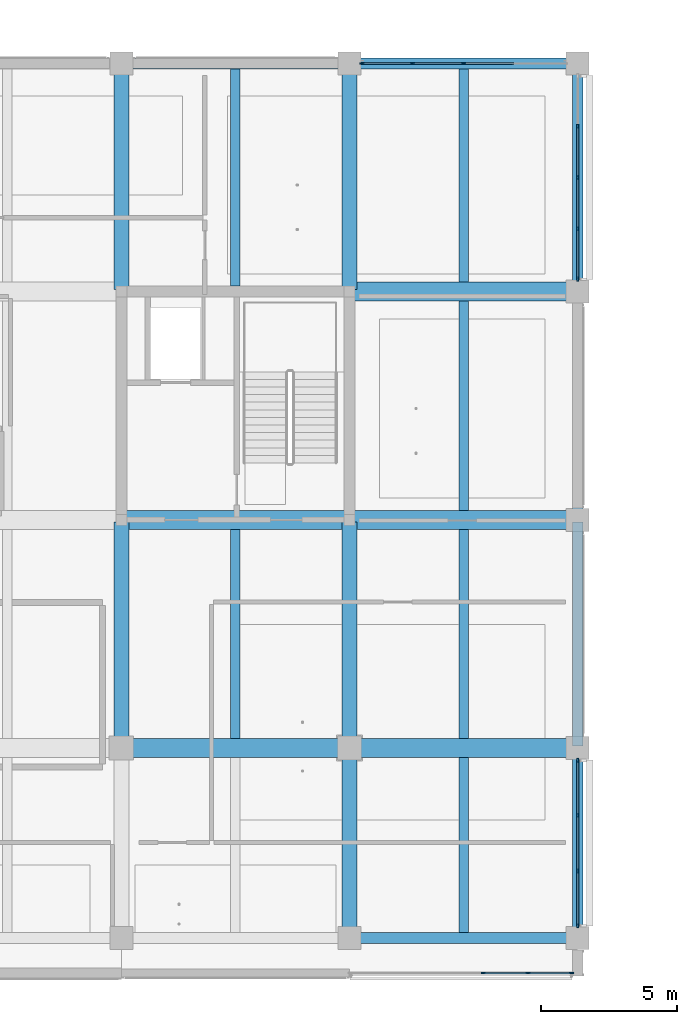
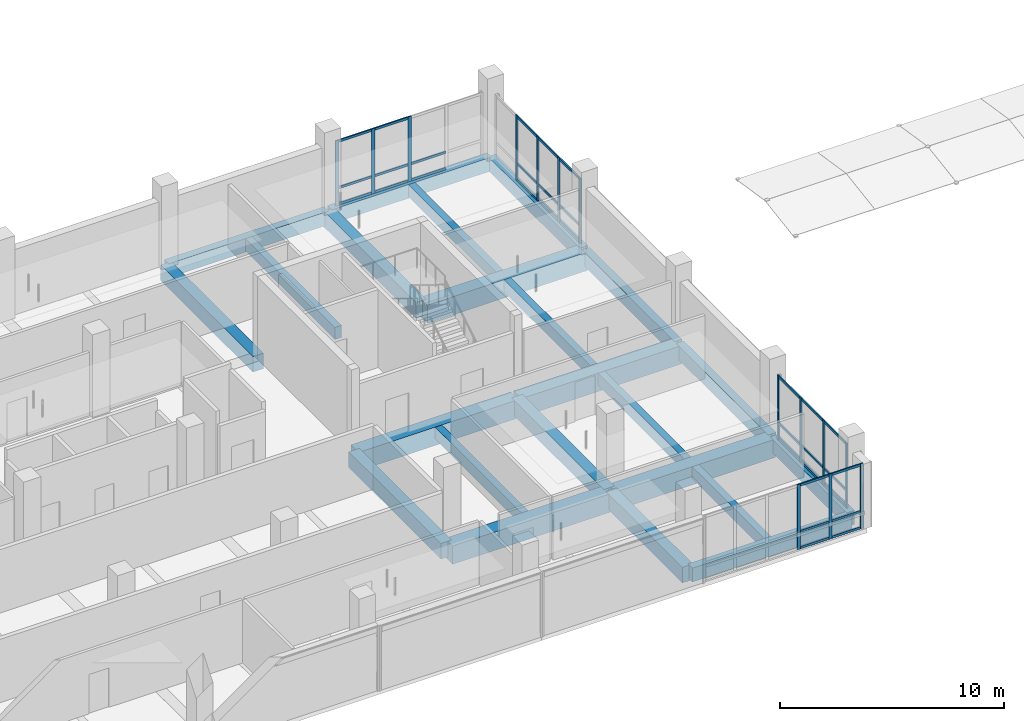
# One storey, part 8 of 39: 46 members, 23 beams, 4 elements without a shape of their own.
"""IFC4 building model written with IfcOpenShell, lengths in metres."""

from ifc_helpers import new_model, si_unit, direction, frame, origin, origin_2d, place, context, subcontext, project, spatial, rectangle, extrude, material, layer, layer_set, material_profile, profile_set, type_object, element, aggregate, save


model = new_model("IFC4")

# Units and contexts
model_context = context("Model", 3, precision=1e-05, world=origin(), true_north=direction((0.0, 1.0)))
body_context = subcontext(model_context, "Body", "Model", "MODEL_VIEW")
ifc_project = project(units=[si_unit("LENGTHUNIT", "METRE"), si_unit("AREAUNIT", "SQUARE_METRE"), si_unit("VOLUMEUNIT", "CUBIC_METRE"), si_unit("PLANEANGLEUNIT", "RADIAN"), si_unit("MASSUNIT", "GRAM", prefix="KILO")], contexts=[model_context])

# Site, building, storey
site_placement = place(None, origin())
site = spatial("IfcSite", under=ifc_project, at=site_placement, CompositionType="ELEMENT")
building_placement = place(site_placement, origin())
building = spatial("IfcBuilding", under=site, at=building_placement, Name="Telukmera Botanical Conservatory", CompositionType="ELEMENT")
storey_placement = place(building_placement, frame((0.0, 0.0, 19.5)))
storey = spatial("IfcBuildingStorey", under=building, at=storey_placement, Name="L04", CompositionType="ELEMENT", Elevation=19.5)

# Beams
ifc_material_1 = material(Name="Concrete C50/60", Category="concrete")
ifc_material_profile_1 = material_profile(ifc_material_1, rectangle(XDim=0.699951171875, YDim=1.0, at=origin_2d()), Name="RC 700x1000")
ifc_profile_set_1 = profile_set([ifc_material_profile_1], Name="Concrete C50/60")
beam_type_1 = type_object("IfcBeamType", Name="Beam_B1", PredefinedType="BEAM", material=ifc_profile_set_1)
beam_1_placement = place(storey_placement, frame((92.47998046875, 17.60009765625, -0.5), z_axis=(1.0, 0.0, 0.0), x_axis=(0.0, 1.0, 0.0)))
element("IfcBeam", 1, at=beam_1_placement, inside=storey, type_object=beam_type_1, Name="Tower Grid Beam L04", PredefinedType="BEAM", context=body_context, shape_type="SweptSolid", body=[
    extrude(rectangle(XDim=0.699951171875, YDim=1.0, at=origin_2d()), origin(), (0.0, 0.0, 1.0), 8.239990234375),
])
beam_2_placement = place(storey_placement, frame((100.8798828125, 17.60009765625, -0.5), z_axis=(1.0, 0.0, 0.0), x_axis=(0.0, 1.0, 0.0)))
element("IfcBeam", 2, at=beam_2_placement, inside=storey, type_object=beam_type_1, Name="Tower Grid Beam L04", PredefinedType="BEAM", context=body_context, shape_type="SweptSolid", body=[
    extrude(rectangle(XDim=0.699951171875, YDim=1.0, at=origin_2d()), origin(), (0.0, 0.0, 1.0), 8.240234375),
])
beam_3_placement = place(storey_placement, frame((92.47998046875, 26.0, -0.5), z_axis=(1.0, 0.0, 0.0), x_axis=(0.0, 1.0, 0.0)))
element("IfcBeam", 3, at=beam_3_placement, inside=storey, type_object=beam_type_1, Name="Tower Grid Beam L04", PredefinedType="BEAM", context=body_context, shape_type="SweptSolid", body=[
    extrude(rectangle(XDim=0.699951171875, YDim=1.0, at=origin_2d()), origin(), (0.0, 0.0, 1.0), 8.239990234375),
])
for number, where, z_axis, x_axis, name in (
    (4, (100.8798828125, 26.0, -0.5), (1.0, 0.0, 0.0), (0.0, 1.0, 0.0), "Tower Grid Beam L04"),
    (5, (100.8798828125, 34.39990234375, -0.5), (1.0, 0.0, 0.0), (0.0, 1.0, 0.0), "Tower Grid Beam L04"),
):
    element("IfcBeam", number, at=place(storey_placement, frame(where, z_axis=z_axis, x_axis=x_axis)), inside=storey, type_object=beam_type_1, Name=name, PredefinedType="BEAM", context=body_context, shape_type="SweptSolid", body=[
        extrude(rectangle(XDim=0.699951171875, YDim=1.0, at=origin_2d()), origin(), (0.0, 0.0, 1.0), 8.240234375),
    ])
ifc_material_2 = material(Name="Concrete C40/50", Category="concrete")
ifc_material_profile_2 = material_profile(ifc_material_2, rectangle(XDim=0.35009765625, YDim=0.64990234375, at=origin_2d()), Name="RC 350x650")
ifc_profile_set_2 = profile_set([ifc_material_profile_2], Name="Concrete C40/50")
beam_type_2 = type_object("IfcBeamType", Name="Beam_B20", PredefinedType="JOIST", material=ifc_profile_set_2)
beam_4_placement = place(storey_placement, frame((96.60009765625, 17.949951171875, -0.324951171875), z_axis=(0.0, 1.0, 0.0), x_axis=(-1.0, 0.0, 0.0)))
element("IfcBeam", 6, at=beam_4_placement, inside=storey, type_object=beam_type_2, Name="Tower Secondary Floor Joist L04", PredefinedType="JOIST", context=body_context, shape_type="SweptSolid", body=[
    extrude(rectangle(XDim=0.35009765625, YDim=0.64990234375, at=origin_2d()), origin(), (0.0, 0.0, 1.0), 7.699951171875),
])
beam_5_placement = place(storey_placement, frame((96.60009765625, 34.60009765625, -0.324951171875), z_axis=(0.0, 1.0, 0.0), x_axis=(-1.0, 0.0, 0.0)))
element("IfcBeam", 7, at=beam_5_placement, inside=storey, type_object=beam_type_2, Name="Tower Secondary Floor Joist L04", PredefinedType="JOIST", context=body_context, shape_type="SweptSolid", body=[
    extrude(rectangle(XDim=0.35009765625, YDim=0.64990234375, at=origin_2d()), origin(), (0.0, 0.0, 1.0), 8.0),
])
beam_6_placement = place(storey_placement, frame((105.0, 10.800048828125, -0.324951171875), z_axis=(0.0, 1.0, 0.0), x_axis=(-1.0, 0.0, 0.0)))
element("IfcBeam", 8, at=beam_6_placement, inside=storey, type_object=beam_type_2, Name="Tower Secondary Floor Joist L04", PredefinedType="JOIST", context=body_context, shape_type="SweptSolid", body=[
    extrude(rectangle(XDim=0.35009765625, YDim=0.64990234375, at=origin_2d()), origin(), (0.0, 0.0, 1.0), 6.449951171875),
])
for number, where, z_axis, x_axis, name in (
    (9, (105.0, 17.949951171875, -0.324951171875), (0.0, 1.0, 0.0), (-1.0, 0.0, 0.0), "Tower Secondary Floor Joist L04"),
    (10, (105.0, 26.35009765625, -0.324951171875), (0.0, 1.0, 0.0), (-1.0, 0.0, 0.0), "Tower Secondary Floor Joist L04"),
):
    element("IfcBeam", number, at=place(storey_placement, frame(where, z_axis=z_axis, x_axis=x_axis)), inside=storey, type_object=beam_type_2, Name=name, PredefinedType="JOIST", context=body_context, shape_type="SweptSolid", body=[
        extrude(rectangle(XDim=0.35009765625, YDim=0.64990234375, at=origin_2d()), origin(), (0.0, 0.0, 1.0), 7.699951171875),
    ])
beam_7_placement = place(storey_placement, frame((105.0, 34.75, -0.324951171875), z_axis=(0.0, 1.0, 0.0), x_axis=(-1.0, 0.0, 0.0)))
element("IfcBeam", 11, at=beam_7_placement, inside=storey, type_object=beam_type_2, Name="Tower Secondary Floor Joist L04", PredefinedType="JOIST", context=body_context, shape_type="SweptSolid", body=[
    extrude(rectangle(XDim=0.35009765625, YDim=0.64990234375, at=origin_2d()), origin(), (0.0, 0.0, 1.0), 7.85009765625),
])
ifc_material_profile_3 = material_profile(ifc_material_2, rectangle(XDim=0.550048828125, YDim=0.85009765625, at=origin_2d()), Name="RC 550x850")
ifc_profile_set_3 = profile_set([ifc_material_profile_3], Name="Concrete C40/50")
beam_type_3 = type_object("IfcBeamType", Name="Beam_B4", PredefinedType="BEAM", material=ifc_profile_set_3)
for number, where, z_axis, x_axis, name in (
    (12, (92.39990234375, 17.679931640625, -0.425048828125), (0.0, 1.0, 0.0), (-1.0, 0.0, 0.0), "Tower Transverse Beam L04"),
    (13, (92.39990234375, 34.47998046875, -0.425048828125), (0.0, 1.0, 0.0), (-1.0, 0.0, 0.0), "Tower Transverse Beam L04"),
):
    element("IfcBeam", number, at=place(storey_placement, frame(where, z_axis=z_axis, x_axis=x_axis)), inside=storey, type_object=beam_type_3, Name=name, PredefinedType="BEAM", context=body_context, shape_type="SweptSolid", body=[
        extrude(rectangle(XDim=0.550048828125, YDim=0.85009765625, at=origin_2d()), origin(), (0.0, 0.0, 1.0), 8.239990234375),
    ])
beam_8_placement = place(storey_placement, frame((100.800048828125, 10.679931640625, -0.425048828125), z_axis=(0.0, 1.0, 0.0), x_axis=(-1.0, 0.0, 0.0)))
element("IfcBeam", 14, at=beam_8_placement, inside=storey, type_object=beam_type_3, Name="Tower Transverse Beam L04", PredefinedType="BEAM", context=body_context, shape_type="SweptSolid", body=[
    extrude(rectangle(XDim=0.550048828125, YDim=0.85009765625, at=origin_2d()), origin(), (0.0, 0.0, 1.0), 6.840087890625),
])
for number, where, z_axis, x_axis, name in (
    (15, (100.800048828125, 17.679931640625, -0.425048828125), (0.0, 1.0, 0.0), (-1.0, 0.0, 0.0), "Tower Transverse Beam L04"),
    (16, (100.800048828125, 34.47998046875, -0.425048828125), (0.0, 1.0, 0.0), (-1.0, 0.0, 0.0), "Tower Transverse Beam L04"),
):
    element("IfcBeam", number, at=place(storey_placement, frame(where, z_axis=z_axis, x_axis=x_axis)), inside=storey, type_object=beam_type_3, Name=name, PredefinedType="BEAM", context=body_context, shape_type="SweptSolid", body=[
        extrude(rectangle(XDim=0.550048828125, YDim=0.85009765625, at=origin_2d()), origin(), (0.0, 0.0, 1.0), 8.239990234375),
    ])
ifc_material_3 = material(Name="Precast concrete C40/50", Category="concrete")
ifc_material_profile_4 = material_profile(ifc_material_3, rectangle(XDim=0.39990234375, YDim=0.75, at=origin_2d()), Name="PC 400x750")
ifc_profile_set_4 = profile_set([ifc_material_profile_4], Name="Precast concrete C40/50")
beam_type_4 = type_object("IfcBeamType", Name="Beam_SP1", PredefinedType="SPANDREL", material=ifc_profile_set_4)
beam_9_placement = place(storey_placement, frame((100.8798828125, 10.60009765625, -0.375), z_axis=(1.0, 0.0, 0.0), x_axis=(0.0, 1.0, 0.0)))
element("IfcBeam", 17, at=beam_9_placement, inside=storey, type_object=beam_type_4, Name="Tower Grid Beam L04", PredefinedType="SPANDREL", context=body_context, shape_type="SweptSolid", body=[
    extrude(rectangle(XDim=0.39990234375, YDim=0.75, at=origin_2d()), origin(), (0.0, 0.0, 1.0), 8.240234375),
])
beam_10_placement = place(storey_placement, frame((92.47998046875, 42.800048828125, -0.375), z_axis=(1.0, 0.0, 0.0), x_axis=(0.0, 1.0, 0.0)))
element("IfcBeam", 18, at=beam_10_placement, inside=storey, type_object=beam_type_4, Name="Tower Grid Beam L04", PredefinedType="SPANDREL", context=body_context, shape_type="SweptSolid", body=[
    extrude(rectangle(XDim=0.39990234375, YDim=0.75, at=origin_2d()), origin(), (0.0, 0.0, 1.0), 8.239990234375),
])
beam_11_placement = place(storey_placement, frame((100.8798828125, 42.800048828125, -0.375), z_axis=(1.0, 0.0, 0.0), x_axis=(0.0, 1.0, 0.0)))
element("IfcBeam", 19, at=beam_11_placement, inside=storey, type_object=beam_type_4, Name="Tower Grid Beam L04", PredefinedType="SPANDREL", context=body_context, shape_type="SweptSolid", body=[
    extrude(rectangle(XDim=0.39990234375, YDim=0.75, at=origin_2d()), origin(), (0.0, 0.0, 1.0), 8.240234375),
])
beam_12_placement = place(storey_placement, frame((109.199951171875, 10.679931640625, -0.375), z_axis=(0.0, 1.0, 0.0), x_axis=(-1.0, 0.0, 0.0)))
element("IfcBeam", 20, at=beam_12_placement, inside=storey, type_object=beam_type_4, Name="Tower Transverse Beam L04", PredefinedType="SPANDREL", context=body_context, shape_type="SweptSolid", body=[
    extrude(rectangle(XDim=0.39990234375, YDim=0.75, at=origin_2d()), origin(), (0.0, 0.0, 1.0), 6.840087890625),
])
for number, where, z_axis, x_axis, name in (
    (21, (109.199951171875, 17.679931640625, -0.375), (0.0, 1.0, 0.0), (-1.0, 0.0, 0.0), "Tower Transverse Beam L04"),
    (22, (109.199951171875, 26.080078125, -0.375), (0.0, 1.0, 0.0), (-1.0, 0.0, 0.0), "Tower Transverse Beam L04"),
    (23, (109.199951171875, 34.47998046875, -0.375), (0.0, 1.0, 0.0), (-1.0, 0.0, 0.0), "Tower Transverse Beam L04"),
):
    element("IfcBeam", number, at=place(storey_placement, frame(where, z_axis=z_axis, x_axis=x_axis)), inside=storey, type_object=beam_type_4, Name=name, PredefinedType="SPANDREL", context=body_context, shape_type="SweptSolid", body=[
        extrude(rectangle(XDim=0.39990234375, YDim=0.75, at=origin_2d()), origin(), (0.0, 0.0, 1.0), 8.239990234375),
    ])

# Curtain wall, members
ifc_material_4 = material(Name="Anodised aluminium 6063-T6", Category="aluminium")
ifc_layer = layer(ifc_material_4, 0.179931640625)
ifc_layer_set = layer_set([ifc_layer], Name="Anodised aluminium 6063-T6")
curtain_wall_type = type_object("IfcCurtainWallType", Name="Tower Herbarium Curation Corner Curtain Wall", PredefinedType="USERDEFINED", material=ifc_layer_set)
curtain_wall_1_placement = place(storey_placement, origin())
curtain_wall_1 = element("IfcCurtainWall", 24, at=curtain_wall_1_placement, inside=storey, type_object=curtain_wall_type, Name="Unitised Curtain Wall CW14 V4:L04:S7", ObjectType="UNITISED CURTAIN WALL", PredefinedType="USERDEFINED")
ifc_material_profile_5 = material_profile(ifc_material_4, rectangle(XDim=0.06494140625, YDim=0.159912109375, at=origin_2d()), Name="ALU MULL 65x160")
ifc_profile_set_5 = profile_set([ifc_material_profile_5], Name="Anodised aluminium 6063-T6")
member_type_1 = type_object("IfcMemberType", Name="Curtain Wall Extruded Mullion 65x160", PredefinedType="MULLION", material=ifc_profile_set_5)
member_1_placement = place(storey_placement, frame((105.7255859375, 9.320068359375, 0.0), z_axis=(0.0, 0.0, 1.0), x_axis=(0.0, 1.0, 0.0)))
member_1 = element("IfcMember", 25, at=member_1_placement, type_object=member_type_1, Name="CW14 mullion 4", PredefinedType="MULLION", context=body_context, shape_type="SweptSolid", body=[
    extrude(rectangle(XDim=0.06494140625, YDim=0.159912109375, at=origin_2d()), origin(), (0.0, 0.0, 1.0), 3.550048828125),
])
member_2_placement = place(storey_placement, frame((107.36669921875, 9.320068359375, 0.0), z_axis=(0.0, 0.0, 1.0), x_axis=(0.0, 1.0, 0.0)))
member_2 = element("IfcMember", 26, at=member_2_placement, type_object=member_type_1, Name="CW14 mullion 5", PredefinedType="MULLION", context=body_context, shape_type="SweptSolid", body=[
    extrude(rectangle(XDim=0.06494140625, YDim=0.159912109375, at=origin_2d()), origin(), (0.0, 0.0, 1.0), 3.550048828125),
])
member_3_placement = place(storey_placement, frame((108.9755859375, 9.320068359375, 0.0), z_axis=(0.0, 0.0, 1.0), x_axis=(0.0, 1.0, 0.0)))
member_3 = element("IfcMember", 27, at=member_3_placement, type_object=member_type_1, Name="CW14 mullion 6", PredefinedType="MULLION", context=body_context, shape_type="SweptSolid", body=[
    extrude(rectangle(XDim=0.06494140625, YDim=0.159912109375, at=origin_2d()), origin(), (0.0, 0.0, 1.0), 3.550048828125),
])

curtain_wall_2_placement = place(storey_placement, origin())
curtain_wall_2 = element("IfcCurtainWall", 28, at=curtain_wall_2_placement, inside=storey, type_object=curtain_wall_type, Name="Unitised Curtain Wall CW14 V4:L04:N7", ObjectType="UNITISED CURTAIN WALL", PredefinedType="USERDEFINED")
member_4_placement = place(storey_placement, frame((101.259521484375, 42.800048828125, 0.0), z_axis=(0.0, 0.0, 1.0), x_axis=(0.0, 1.0, 0.0)))
member_4 = element("IfcMember", 29, at=member_4_placement, type_object=member_type_1, Name="CW14 mullion 1", PredefinedType="MULLION", context=body_context, shape_type="SweptSolid", body=[
    extrude(rectangle(XDim=0.06494140625, YDim=0.159912109375, at=origin_2d()), origin(), (0.0, 0.0, 1.0), 3.550048828125),
])
member_5_placement = place(storey_placement, frame((103.113525390625, 42.800048828125, 0.0), z_axis=(0.0, 0.0, 1.0), x_axis=(0.0, 1.0, 0.0)))
member_5 = element("IfcMember", 30, at=member_5_placement, type_object=member_type_1, Name="CW14 mullion 2", PredefinedType="MULLION", context=body_context, shape_type="SweptSolid", body=[
    extrude(rectangle(XDim=0.06494140625, YDim=0.159912109375, at=origin_2d()), origin(), (0.0, 0.0, 1.0), 3.550048828125),
])
member_6_placement = place(storey_placement, frame((105.0, 42.800048828125, 0.0), z_axis=(0.0, 0.0, 1.0), x_axis=(0.0, 1.0, 0.0)))
member_6 = element("IfcMember", 31, at=member_6_placement, type_object=member_type_1, Name="CW14 mullion 3", PredefinedType="MULLION", context=body_context, shape_type="SweptSolid", body=[
    extrude(rectangle(XDim=0.06494140625, YDim=0.159912109375, at=origin_2d()), origin(), (0.0, 0.0, 1.0), 3.550048828125),
])

curtain_wall_3_placement = place(storey_placement, origin())
curtain_wall_3 = element("IfcCurtainWall", 32, at=curtain_wall_3_placement, inside=storey, type_object=curtain_wall_type, Name="Unitised Curtain Wall CW14 V4:L04:E1", ObjectType="UNITISED CURTAIN WALL", PredefinedType="USERDEFINED")
member_7_placement = place(storey_placement, frame((109.199951171875, 11.0595703125, 0.0), z_axis=(0.0, 0.0, 1.0), x_axis=(-1.0, 0.0, 0.0)))
member_7 = element("IfcMember", 33, at=member_7_placement, type_object=member_type_1, Name="CW14 mullion 1", PredefinedType="MULLION", context=body_context, shape_type="SweptSolid", body=[
    extrude(rectangle(XDim=0.06494140625, YDim=0.159912109375, at=origin_2d()), origin(), (0.0, 0.0, 1.0), 3.550048828125),
])
member_8_placement = place(storey_placement, frame((109.199951171875, 13.07568359375, 0.0), z_axis=(0.0, 0.0, 1.0), x_axis=(-1.0, 0.0, 0.0)))
member_8 = element("IfcMember", 34, at=member_8_placement, type_object=member_type_1, Name="CW14 mullion 2", PredefinedType="MULLION", context=body_context, shape_type="SweptSolid", body=[
    extrude(rectangle(XDim=0.06494140625, YDim=0.159912109375, at=origin_2d()), origin(), (0.0, 0.0, 1.0), 3.550048828125),
])
member_9_placement = place(storey_placement, frame((109.199951171875, 15.124267578125, 0.0), z_axis=(0.0, 0.0, 1.0), x_axis=(-1.0, 0.0, 0.0)))
member_9 = element("IfcMember", 35, at=member_9_placement, type_object=member_type_1, Name="CW14 mullion 3", PredefinedType="MULLION", context=body_context, shape_type="SweptSolid", body=[
    extrude(rectangle(XDim=0.06494140625, YDim=0.159912109375, at=origin_2d()), origin(), (0.0, 0.0, 1.0), 3.550048828125),
])
member_10_placement = place(storey_placement, frame((109.199951171875, 17.140380859375, 0.0), z_axis=(0.0, 0.0, 1.0), x_axis=(-1.0, 0.0, 0.0)))
member_10 = element("IfcMember", 36, at=member_10_placement, type_object=member_type_1, Name="CW14 mullion 4", PredefinedType="MULLION", context=body_context, shape_type="SweptSolid", body=[
    extrude(rectangle(XDim=0.06494140625, YDim=0.159912109375, at=origin_2d()), origin(), (0.0, 0.0, 1.0), 3.550048828125),
])

curtain_wall_4_placement = place(storey_placement, origin())
curtain_wall_4 = element("IfcCurtainWall", 37, at=curtain_wall_4_placement, inside=storey, type_object=curtain_wall_type, Name="Unitised Curtain Wall CW14 V4:L04:E4", ObjectType="UNITISED CURTAIN WALL", PredefinedType="USERDEFINED")
member_11_placement = place(storey_placement, frame((109.199951171875, 34.859619140625, 0.0), z_axis=(0.0, 0.0, 1.0), x_axis=(-1.0, 0.0, 0.0)))
member_11 = element("IfcMember", 38, at=member_11_placement, type_object=member_type_1, Name="CW14 mullion 1", PredefinedType="MULLION", context=body_context, shape_type="SweptSolid", body=[
    extrude(rectangle(XDim=0.06494140625, YDim=0.159912109375, at=origin_2d()), origin(), (0.0, 0.0, 1.0), 3.550048828125),
])
member_12_placement = place(storey_placement, frame((109.199951171875, 36.71337890625, 0.0), z_axis=(0.0, 0.0, 1.0), x_axis=(-1.0, 0.0, 0.0)))
member_12 = element("IfcMember", 39, at=member_12_placement, type_object=member_type_1, Name="CW14 mullion 2", PredefinedType="MULLION", context=body_context, shape_type="SweptSolid", body=[
    extrude(rectangle(XDim=0.06494140625, YDim=0.159912109375, at=origin_2d()), origin(), (0.0, 0.0, 1.0), 3.550048828125),
])
member_13_placement = place(storey_placement, frame((109.199951171875, 38.60009765625, 0.0), z_axis=(0.0, 0.0, 1.0), x_axis=(-1.0, 0.0, 0.0)))
member_13 = element("IfcMember", 40, at=member_13_placement, type_object=member_type_1, Name="CW14 mullion 3", PredefinedType="MULLION", context=body_context, shape_type="SweptSolid", body=[
    extrude(rectangle(XDim=0.06494140625, YDim=0.159912109375, at=origin_2d()), origin(), (0.0, 0.0, 1.0), 3.550048828125),
])
member_14_placement = place(storey_placement, frame((109.199951171875, 40.486572265625, 0.0), z_axis=(0.0, 0.0, 1.0), x_axis=(-1.0, 0.0, 0.0)))
member_14 = element("IfcMember", 41, at=member_14_placement, type_object=member_type_1, Name="CW14 mullion 4", PredefinedType="MULLION", context=body_context, shape_type="SweptSolid", body=[
    extrude(rectangle(XDim=0.06494140625, YDim=0.159912109375, at=origin_2d()), origin(), (0.0, 0.0, 1.0), 3.550048828125),
])

# Member
ifc_material_profile_6 = material_profile(ifc_material_4, rectangle(XDim=0.06494140625, YDim=0.1298828125, at=origin_2d()), Name="ALU TRAN 65x130")
ifc_profile_set_6 = profile_set([ifc_material_profile_6], Name="Anodised aluminium 6063-T6")
member_type_2 = type_object("IfcMemberType", Name="Curtain Wall Extruded Transom 65x130", PredefinedType="USERDEFINED", material=ifc_profile_set_6)
member_15_placement = place(storey_placement, frame((105.758056640625, 9.320068359375, 0.06494140625), z_axis=(1.0, 0.0, 0.0), x_axis=(0.0, 1.0, 0.0)))
member_15 = element("IfcMember", 42, at=member_15_placement, type_object=member_type_2, Name="CW14 transom 4.1", ObjectType="TRANSOM", PredefinedType="USERDEFINED", context=body_context, shape_type="SweptSolid", body=[
    extrude(rectangle(XDim=0.06494140625, YDim=0.1298828125, at=origin_2d()), origin(), (0.0, 0.0, 1.0), 1.576171875),
])

member_16_placement = place(storey_placement, frame((105.758056640625, 9.320068359375, 0.949951171875), z_axis=(1.0, 0.0, 0.0), x_axis=(0.0, 1.0, 0.0)))
member_16 = element("IfcMember", 43, at=member_16_placement, type_object=member_type_2, Name="CW14 transom 4.2", ObjectType="TRANSOM", PredefinedType="USERDEFINED", context=body_context, shape_type="SweptSolid", body=[
    extrude(rectangle(XDim=0.06494140625, YDim=0.1298828125, at=origin_2d()), origin(), (0.0, 0.0, 1.0), 1.576171875),
])

member_17_placement = place(storey_placement, frame((105.758056640625, 9.320068359375, 3.485107421875), z_axis=(1.0, 0.0, 0.0), x_axis=(0.0, 1.0, 0.0)))
member_17 = element("IfcMember", 44, at=member_17_placement, type_object=member_type_2, Name="CW14 transom 4.3", ObjectType="TRANSOM", PredefinedType="USERDEFINED", context=body_context, shape_type="SweptSolid", body=[
    extrude(rectangle(XDim=0.06494140625, YDim=0.1298828125, at=origin_2d()), origin(), (0.0, 0.0, 1.0), 1.576171875),
])

member_18_placement = place(storey_placement, frame((107.3994140625, 9.320068359375, 0.06494140625), z_axis=(1.0, 0.0, 0.0), x_axis=(0.0, 1.0, 0.0)))
member_18 = element("IfcMember", 45, at=member_18_placement, type_object=member_type_2, Name="CW14 transom 5.1", ObjectType="TRANSOM", PredefinedType="USERDEFINED", context=body_context, shape_type="SweptSolid", body=[
    extrude(rectangle(XDim=0.06494140625, YDim=0.1298828125, at=origin_2d()), origin(), (0.0, 0.0, 1.0), 1.543701171875),
])

member_19_placement = place(storey_placement, frame((107.3994140625, 9.320068359375, 0.949951171875), z_axis=(1.0, 0.0, 0.0), x_axis=(0.0, 1.0, 0.0)))
member_19 = element("IfcMember", 46, at=member_19_placement, type_object=member_type_2, Name="CW14 transom 5.2", ObjectType="TRANSOM", PredefinedType="USERDEFINED", context=body_context, shape_type="SweptSolid", body=[
    extrude(rectangle(XDim=0.06494140625, YDim=0.1298828125, at=origin_2d()), origin(), (0.0, 0.0, 1.0), 1.543701171875),
])

member_20_placement = place(storey_placement, frame((107.3994140625, 9.320068359375, 3.485107421875), z_axis=(1.0, 0.0, 0.0), x_axis=(0.0, 1.0, 0.0)))
member_20 = element("IfcMember", 47, at=member_20_placement, type_object=member_type_2, Name="CW14 transom 5.3", ObjectType="TRANSOM", PredefinedType="USERDEFINED", context=body_context, shape_type="SweptSolid", body=[
    extrude(rectangle(XDim=0.06494140625, YDim=0.1298828125, at=origin_2d()), origin(), (0.0, 0.0, 1.0), 1.543701171875),
])

aggregate(curtain_wall_1, [member_1, member_2, member_3, member_15, member_16, member_17, member_18, member_19, member_20])

member_21_placement = place(storey_placement, frame((101.2919921875, 42.800048828125, 0.06494140625), z_axis=(1.0, 0.0, 0.0), x_axis=(0.0, 1.0, 0.0)))
member_21 = element("IfcMember", 48, at=member_21_placement, type_object=member_type_2, Name="CW14 transom 1.1", ObjectType="TRANSOM", PredefinedType="USERDEFINED", context=body_context, shape_type="SweptSolid", body=[
    extrude(rectangle(XDim=0.06494140625, YDim=0.1298828125, at=origin_2d()), origin(), (0.0, 0.0, 1.0), 1.7890625),
])

member_22_placement = place(storey_placement, frame((101.2919921875, 42.800048828125, 0.949951171875), z_axis=(1.0, 0.0, 0.0), x_axis=(0.0, 1.0, 0.0)))
member_22 = element("IfcMember", 49, at=member_22_placement, type_object=member_type_2, Name="CW14 transom 1.2", ObjectType="TRANSOM", PredefinedType="USERDEFINED", context=body_context, shape_type="SweptSolid", body=[
    extrude(rectangle(XDim=0.06494140625, YDim=0.1298828125, at=origin_2d()), origin(), (0.0, 0.0, 1.0), 1.7890625),
])

member_23_placement = place(storey_placement, frame((101.2919921875, 42.800048828125, 3.485107421875), z_axis=(1.0, 0.0, 0.0), x_axis=(0.0, 1.0, 0.0)))
member_23 = element("IfcMember", 50, at=member_23_placement, type_object=member_type_2, Name="CW14 transom 1.3", ObjectType="TRANSOM", PredefinedType="USERDEFINED", context=body_context, shape_type="SweptSolid", body=[
    extrude(rectangle(XDim=0.06494140625, YDim=0.1298828125, at=origin_2d()), origin(), (0.0, 0.0, 1.0), 1.7890625),
])

member_24_placement = place(storey_placement, frame((103.14599609375, 42.800048828125, 0.06494140625), z_axis=(1.0, 0.0, 0.0), x_axis=(0.0, 1.0, 0.0)))
member_24 = element("IfcMember", 51, at=member_24_placement, type_object=member_type_2, Name="CW14 transom 2.1", ObjectType="TRANSOM", PredefinedType="USERDEFINED", context=body_context, shape_type="SweptSolid", body=[
    extrude(rectangle(XDim=0.06494140625, YDim=0.1298828125, at=origin_2d()), origin(), (0.0, 0.0, 1.0), 1.821533203125),
])

member_25_placement = place(storey_placement, frame((103.14599609375, 42.800048828125, 0.949951171875), z_axis=(1.0, 0.0, 0.0), x_axis=(0.0, 1.0, 0.0)))
member_25 = element("IfcMember", 52, at=member_25_placement, type_object=member_type_2, Name="CW14 transom 2.2", ObjectType="TRANSOM", PredefinedType="USERDEFINED", context=body_context, shape_type="SweptSolid", body=[
    extrude(rectangle(XDim=0.06494140625, YDim=0.1298828125, at=origin_2d()), origin(), (0.0, 0.0, 1.0), 1.821533203125),
])

member_26_placement = place(storey_placement, frame((103.14599609375, 42.800048828125, 3.485107421875), z_axis=(1.0, 0.0, 0.0), x_axis=(0.0, 1.0, 0.0)))
member_26 = element("IfcMember", 53, at=member_26_placement, type_object=member_type_2, Name="CW14 transom 2.3", ObjectType="TRANSOM", PredefinedType="USERDEFINED", context=body_context, shape_type="SweptSolid", body=[
    extrude(rectangle(XDim=0.06494140625, YDim=0.1298828125, at=origin_2d()), origin(), (0.0, 0.0, 1.0), 1.821533203125),
])

member_27_placement = place(storey_placement, frame((105.032470703125, 42.800048828125, 0.06494140625), z_axis=(1.0, 0.0, 0.0), x_axis=(0.0, 1.0, 0.0)))
member_27 = element("IfcMember", 54, at=member_27_placement, type_object=member_type_2, Name="CW14 transom 3.1", ObjectType="TRANSOM", PredefinedType="USERDEFINED", context=body_context, shape_type="SweptSolid", body=[
    extrude(rectangle(XDim=0.06494140625, YDim=0.1298828125, at=origin_2d()), origin(), (0.0, 0.0, 1.0), 1.821533203125),
])

member_28_placement = place(storey_placement, frame((105.032470703125, 42.800048828125, 0.949951171875), z_axis=(1.0, 0.0, 0.0), x_axis=(0.0, 1.0, 0.0)))
member_28 = element("IfcMember", 55, at=member_28_placement, type_object=member_type_2, Name="CW14 transom 3.2", ObjectType="TRANSOM", PredefinedType="USERDEFINED", context=body_context, shape_type="SweptSolid", body=[
    extrude(rectangle(XDim=0.06494140625, YDim=0.1298828125, at=origin_2d()), origin(), (0.0, 0.0, 1.0), 1.821533203125),
])

aggregate(curtain_wall_2, [member_4, member_5, member_6, member_21, member_22, member_23, member_24, member_25, member_26, member_27, member_28])

member_29_placement = place(storey_placement, frame((109.199951171875, 11.092041015625, 0.06494140625), z_axis=(0.0, 1.0, 0.0), x_axis=(-1.0, 0.0, 0.0)))
member_29 = element("IfcMember", 56, at=member_29_placement, type_object=member_type_2, Name="CW14 transom 1.1", ObjectType="TRANSOM", PredefinedType="USERDEFINED", context=body_context, shape_type="SweptSolid", body=[
    extrude(rectangle(XDim=0.06494140625, YDim=0.1298828125, at=origin_2d()), origin(), (0.0, 0.0, 1.0), 1.951171875),
])

member_30_placement = place(storey_placement, frame((109.199951171875, 11.092041015625, 0.949951171875), z_axis=(0.0, 1.0, 0.0), x_axis=(-1.0, 0.0, 0.0)))
member_30 = element("IfcMember", 57, at=member_30_placement, type_object=member_type_2, Name="CW14 transom 1.2", ObjectType="TRANSOM", PredefinedType="USERDEFINED", context=body_context, shape_type="SweptSolid", body=[
    extrude(rectangle(XDim=0.06494140625, YDim=0.1298828125, at=origin_2d()), origin(), (0.0, 0.0, 1.0), 1.951171875),
])

member_31_placement = place(storey_placement, frame((109.199951171875, 11.092041015625, 3.485107421875), z_axis=(0.0, 1.0, 0.0), x_axis=(-1.0, 0.0, 0.0)))
member_31 = element("IfcMember", 58, at=member_31_placement, type_object=member_type_2, Name="CW14 transom 1.3", ObjectType="TRANSOM", PredefinedType="USERDEFINED", context=body_context, shape_type="SweptSolid", body=[
    extrude(rectangle(XDim=0.06494140625, YDim=0.1298828125, at=origin_2d()), origin(), (0.0, 0.0, 1.0), 1.951171875),
])

member_32_placement = place(storey_placement, frame((109.199951171875, 13.108154296875, 0.06494140625), z_axis=(0.0, 1.0, 0.0), x_axis=(-1.0, 0.0, 0.0)))
member_32 = element("IfcMember", 59, at=member_32_placement, type_object=member_type_2, Name="CW14 transom 2.1", ObjectType="TRANSOM", PredefinedType="USERDEFINED", context=body_context, shape_type="SweptSolid", body=[
    extrude(rectangle(XDim=0.06494140625, YDim=0.1298828125, at=origin_2d()), origin(), (0.0, 0.0, 1.0), 1.983642578125),
])

member_33_placement = place(storey_placement, frame((109.199951171875, 13.108154296875, 0.949951171875), z_axis=(0.0, 1.0, 0.0), x_axis=(-1.0, 0.0, 0.0)))
member_33 = element("IfcMember", 60, at=member_33_placement, type_object=member_type_2, Name="CW14 transom 2.2", ObjectType="TRANSOM", PredefinedType="USERDEFINED", context=body_context, shape_type="SweptSolid", body=[
    extrude(rectangle(XDim=0.06494140625, YDim=0.1298828125, at=origin_2d()), origin(), (0.0, 0.0, 1.0), 1.983642578125),
])

member_34_placement = place(storey_placement, frame((109.199951171875, 13.108154296875, 3.485107421875), z_axis=(0.0, 1.0, 0.0), x_axis=(-1.0, 0.0, 0.0)))
member_34 = element("IfcMember", 61, at=member_34_placement, type_object=member_type_2, Name="CW14 transom 2.3", ObjectType="TRANSOM", PredefinedType="USERDEFINED", context=body_context, shape_type="SweptSolid", body=[
    extrude(rectangle(XDim=0.06494140625, YDim=0.1298828125, at=origin_2d()), origin(), (0.0, 0.0, 1.0), 1.983642578125),
])

member_35_placement = place(storey_placement, frame((109.199951171875, 15.15673828125, 0.06494140625), z_axis=(0.0, 1.0, 0.0), x_axis=(-1.0, 0.0, 0.0)))
member_35 = element("IfcMember", 62, at=member_35_placement, type_object=member_type_2, Name="CW14 transom 3.1", ObjectType="TRANSOM", PredefinedType="USERDEFINED", context=body_context, shape_type="SweptSolid", body=[
    extrude(rectangle(XDim=0.06494140625, YDim=0.1298828125, at=origin_2d()), origin(), (0.0, 0.0, 1.0), 1.951171875),
])

member_36_placement = place(storey_placement, frame((109.199951171875, 15.15673828125, 0.949951171875), z_axis=(0.0, 1.0, 0.0), x_axis=(-1.0, 0.0, 0.0)))
member_36 = element("IfcMember", 63, at=member_36_placement, type_object=member_type_2, Name="CW14 transom 3.2", ObjectType="TRANSOM", PredefinedType="USERDEFINED", context=body_context, shape_type="SweptSolid", body=[
    extrude(rectangle(XDim=0.06494140625, YDim=0.1298828125, at=origin_2d()), origin(), (0.0, 0.0, 1.0), 1.951171875),
])

member_37_placement = place(storey_placement, frame((109.199951171875, 15.15673828125, 3.485107421875), z_axis=(0.0, 1.0, 0.0), x_axis=(-1.0, 0.0, 0.0)))
member_37 = element("IfcMember", 64, at=member_37_placement, type_object=member_type_2, Name="CW14 transom 3.3", ObjectType="TRANSOM", PredefinedType="USERDEFINED", context=body_context, shape_type="SweptSolid", body=[
    extrude(rectangle(XDim=0.06494140625, YDim=0.1298828125, at=origin_2d()), origin(), (0.0, 0.0, 1.0), 1.951171875),
])

aggregate(curtain_wall_3, [member_7, member_8, member_9, member_10, member_29, member_30, member_31, member_32, member_33, member_34, member_35, member_36, member_37])

member_38_placement = place(storey_placement, frame((109.199951171875, 34.89208984375, 0.06494140625), z_axis=(0.0, 1.0, 0.0), x_axis=(-1.0, 0.0, 0.0)))
member_38 = element("IfcMember", 65, at=member_38_placement, type_object=member_type_2, Name="CW14 transom 1.1", ObjectType="TRANSOM", PredefinedType="USERDEFINED", context=body_context, shape_type="SweptSolid", body=[
    extrude(rectangle(XDim=0.06494140625, YDim=0.1298828125, at=origin_2d()), origin(), (0.0, 0.0, 1.0), 1.788818359375),
])

member_39_placement = place(storey_placement, frame((109.199951171875, 34.89208984375, 0.949951171875), z_axis=(0.0, 1.0, 0.0), x_axis=(-1.0, 0.0, 0.0)))
member_39 = element("IfcMember", 66, at=member_39_placement, type_object=member_type_2, Name="CW14 transom 1.2", ObjectType="TRANSOM", PredefinedType="USERDEFINED", context=body_context, shape_type="SweptSolid", body=[
    extrude(rectangle(XDim=0.06494140625, YDim=0.1298828125, at=origin_2d()), origin(), (0.0, 0.0, 1.0), 1.788818359375),
])

member_40_placement = place(storey_placement, frame((109.199951171875, 34.89208984375, 3.485107421875), z_axis=(0.0, 1.0, 0.0), x_axis=(-1.0, 0.0, 0.0)))
member_40 = element("IfcMember", 67, at=member_40_placement, type_object=member_type_2, Name="CW14 transom 1.3", ObjectType="TRANSOM", PredefinedType="USERDEFINED", context=body_context, shape_type="SweptSolid", body=[
    extrude(rectangle(XDim=0.06494140625, YDim=0.1298828125, at=origin_2d()), origin(), (0.0, 0.0, 1.0), 1.788818359375),
])

member_41_placement = place(storey_placement, frame((109.199951171875, 36.74609375, 0.06494140625), z_axis=(0.0, 1.0, 0.0), x_axis=(-1.0, 0.0, 0.0)))
member_41 = element("IfcMember", 68, at=member_41_placement, type_object=member_type_2, Name="CW14 transom 2.1", ObjectType="TRANSOM", PredefinedType="USERDEFINED", context=body_context, shape_type="SweptSolid", body=[
    extrude(rectangle(XDim=0.06494140625, YDim=0.1298828125, at=origin_2d()), origin(), (0.0, 0.0, 1.0), 1.8212890625),
])

member_42_placement = place(storey_placement, frame((109.199951171875, 36.74609375, 0.949951171875), z_axis=(0.0, 1.0, 0.0), x_axis=(-1.0, 0.0, 0.0)))
member_42 = element("IfcMember", 69, at=member_42_placement, type_object=member_type_2, Name="CW14 transom 2.2", ObjectType="TRANSOM", PredefinedType="USERDEFINED", context=body_context, shape_type="SweptSolid", body=[
    extrude(rectangle(XDim=0.06494140625, YDim=0.1298828125, at=origin_2d()), origin(), (0.0, 0.0, 1.0), 1.8212890625),
])

member_43_placement = place(storey_placement, frame((109.199951171875, 36.74609375, 3.485107421875), z_axis=(0.0, 1.0, 0.0), x_axis=(-1.0, 0.0, 0.0)))
member_43 = element("IfcMember", 70, at=member_43_placement, type_object=member_type_2, Name="CW14 transom 2.3", ObjectType="TRANSOM", PredefinedType="USERDEFINED", context=body_context, shape_type="SweptSolid", body=[
    extrude(rectangle(XDim=0.06494140625, YDim=0.1298828125, at=origin_2d()), origin(), (0.0, 0.0, 1.0), 1.8212890625),
])

member_44_placement = place(storey_placement, frame((109.199951171875, 38.632568359375, 0.06494140625), z_axis=(0.0, 1.0, 0.0), x_axis=(-1.0, 0.0, 0.0)))
member_44 = element("IfcMember", 71, at=member_44_placement, type_object=member_type_2, Name="CW14 transom 3.1", ObjectType="TRANSOM", PredefinedType="USERDEFINED", context=body_context, shape_type="SweptSolid", body=[
    extrude(rectangle(XDim=0.06494140625, YDim=0.1298828125, at=origin_2d()), origin(), (0.0, 0.0, 1.0), 1.821533203125),
])

member_45_placement = place(storey_placement, frame((109.199951171875, 38.632568359375, 0.949951171875), z_axis=(0.0, 1.0, 0.0), x_axis=(-1.0, 0.0, 0.0)))
member_45 = element("IfcMember", 72, at=member_45_placement, type_object=member_type_2, Name="CW14 transom 3.2", ObjectType="TRANSOM", PredefinedType="USERDEFINED", context=body_context, shape_type="SweptSolid", body=[
    extrude(rectangle(XDim=0.06494140625, YDim=0.1298828125, at=origin_2d()), origin(), (0.0, 0.0, 1.0), 1.821533203125),
])

member_46_placement = place(storey_placement, frame((109.199951171875, 38.632568359375, 3.485107421875), z_axis=(0.0, 1.0, 0.0), x_axis=(-1.0, 0.0, 0.0)))
member_46 = element("IfcMember", 73, at=member_46_placement, type_object=member_type_2, Name="CW14 transom 3.3", ObjectType="TRANSOM", PredefinedType="USERDEFINED", context=body_context, shape_type="SweptSolid", body=[
    extrude(rectangle(XDim=0.06494140625, YDim=0.1298828125, at=origin_2d()), origin(), (0.0, 0.0, 1.0), 1.821533203125),
])

aggregate(curtain_wall_4, [member_11, member_12, member_13, member_14, member_38, member_39, member_40, member_41, member_42, member_43, member_44, member_45, member_46])

save(model, "model.ifc")
